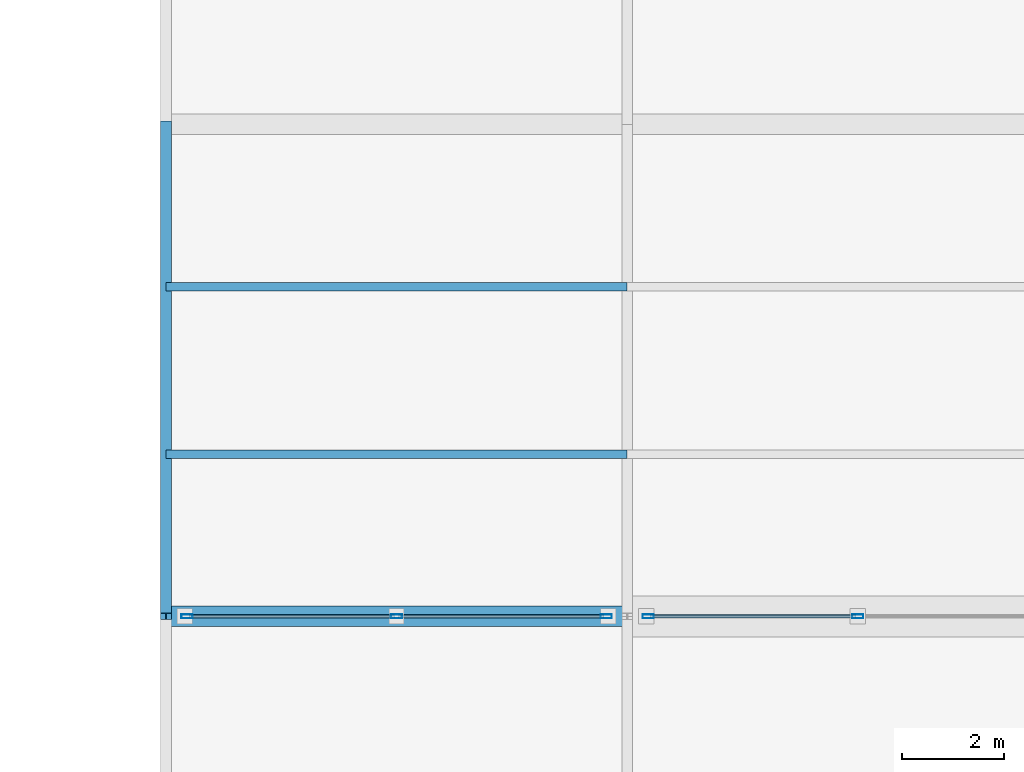
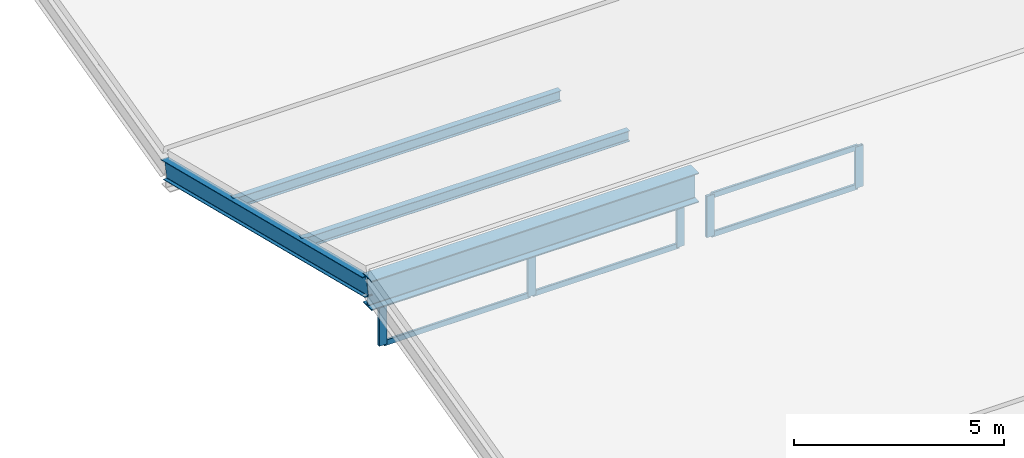
# One storey, part 8 of 36: 14 members, 1 beam, 2 elements without a shape of their own.
"""IFC4 building model written with IfcOpenShell, lengths in metres."""

from ifc_helpers import new_model, si_unit, direction, frame, origin, origin_2d, place, context, subcontext, project, spatial, hollow_rectangle, i_section, extrude, material, layer, layer_set, material_profile, profile_set, type_object, element, aggregate, save


model = new_model("IFC4")

# Units and contexts
model_context = context("Model", 3, precision=1e-05, world=origin(), true_north=direction((0.0, 1.0)))
body_context = subcontext(model_context, "Body", "Model", "MODEL_VIEW")
ifc_project = project(units=[si_unit("LENGTHUNIT", "METRE"), si_unit("AREAUNIT", "SQUARE_METRE"), si_unit("VOLUMEUNIT", "CUBIC_METRE"), si_unit("PLANEANGLEUNIT", "RADIAN"), si_unit("MASSUNIT", "GRAM", prefix="KILO")], contexts=[model_context])

# Site, building, storey
site_placement = place(None, origin())
site = spatial("IfcSite", under=ifc_project, at=site_placement, CompositionType="ELEMENT")
building_placement = place(site_placement, origin())
building = spatial("IfcBuilding", under=site, at=building_placement, Name="Qorvath Tower", CompositionType="ELEMENT")
storey_placement = place(building_placement, frame((0.0, 0.0, 27.0)))
storey = spatial("IfcBuildingStorey", under=building, at=storey_placement, Name="L05", CompositionType="ELEMENT", Elevation=27.0)

# Beam
ifc_material_1 = material(Name="Steel ASTM A992 Grade 50", Category="steel")
ifc_material_profile_1 = material_profile(ifc_material_1, i_section(OverallWidth=0.39892578125, OverallDepth=0.85498046875, WebThickness=0.018310546875, FlangeThickness=0.029296875, FilletRadius=0.02001953125, at=origin_2d()), Name="W33x201")
ifc_profile_set_1 = profile_set([ifc_material_profile_1], Name="Steel ASTM A992 Grade 50")
beam_type = type_object("IfcBeamType", Name="BM-FG2", PredefinedType="BEAM", material=ifc_profile_set_1)
beam_placement = place(storey_placement, frame((32.39990234375, 9.60009765625, 1.666015625), z_axis=(1.0, 0.0, 0.0), x_axis=(0.0, 1.0, 0.0)))
element("IfcBeam", 1, at=beam_placement, inside=storey, type_object=beam_type, Name="Library Roof Fold Girder 6-W", PredefinedType="BEAM", context=body_context, shape_type="SweptSolid", body=[
    extrude(i_section(OverallWidth=0.39892578125, OverallDepth=0.85498046875, WebThickness=0.018310546875, FlangeThickness=0.029296875, FilletRadius=0.02001953125, at=origin_2d()), origin(), (0.0, 0.0, 1.0), 9.0),
])

# Curtain wall, members
ifc_material_2 = material(Name="Anodised aluminium and triple low-E glass", Category="aluminium")
ifc_layer = layer(ifc_material_2, 0.179931640625)
ifc_layer_set = layer_set([ifc_layer], Name="CW-SYS-7")
curtain_wall_type = type_object("IfcCurtainWallType", Name="CW-SYS-7", PredefinedType="NOTDEFINED", material=ifc_layer_set)
curtain_wall_1_placement = place(storey_placement, origin())
curtain_wall_1 = element("IfcCurtainWall", 2, at=curtain_wall_1_placement, inside=storey, type_object=curtain_wall_type, Name="Curtain Wall CW-7 CW-LIB-SKY-3-1", PredefinedType="NOTDEFINED")
ifc_material_3 = material(Name="Anodised aluminium 6063-T6", Category="aluminium")
ifc_material_profile_2 = material_profile(ifc_material_3, hollow_rectangle(XDim=0.080078125, YDim=0.219970703125, WallThickness=0.00439453125, InnerFilletRadius=0.00439453125, OuterFilletRadius=0.009033203125, at=origin_2d()), Name="CWM LIB 220x80")
ifc_profile_set_2 = profile_set([ifc_material_profile_2], Name="Anodised aluminium 6063-T6")
member_type_1 = type_object("IfcMemberType", Name="CWM-LIB", PredefinedType="MULLION", material=ifc_profile_set_2)
member_1_placement = place(storey_placement, frame((32.81005859375, 9.60009765625, 0.0), z_axis=(0.0, 0.0, 1.0), x_axis=(0.0, 1.0, 0.0)))
member_1 = element("IfcMember", 3, at=member_1_placement, type_object=member_type_1, Name="CW-7 mullion 1", PredefinedType="MULLION", context=body_context, shape_type="SweptSolid", body=[
    extrude(hollow_rectangle(XDim=0.080078125, YDim=0.219970703125, WallThickness=0.00439453125, InnerFilletRadius=0.00439453125, OuterFilletRadius=0.009033203125, at=origin_2d()), origin(), (0.0, 0.0, 1.0), 1.199951171875),
])
member_2_placement = place(storey_placement, frame((36.89990234375, 9.60009765625, 0.0), z_axis=(0.0, 0.0, 1.0), x_axis=(0.0, 1.0, 0.0)))
member_2 = element("IfcMember", 4, at=member_2_placement, type_object=member_type_1, Name="CW-7 mullion 2", PredefinedType="MULLION", context=body_context, shape_type="SweptSolid", body=[
    extrude(hollow_rectangle(XDim=0.080078125, YDim=0.219970703125, WallThickness=0.00439453125, InnerFilletRadius=0.00439453125, OuterFilletRadius=0.009033203125, at=origin_2d()), origin(), (0.0, 0.0, 1.0), 1.199951171875),
])
member_3_placement = place(storey_placement, frame((40.989990234375, 9.60009765625, 0.0), z_axis=(0.0, 0.0, 1.0), x_axis=(0.0, 1.0, 0.0)))
member_3 = element("IfcMember", 5, at=member_3_placement, type_object=member_type_1, Name="CW-7 mullion 3", PredefinedType="MULLION", context=body_context, shape_type="SweptSolid", body=[
    extrude(hollow_rectangle(XDim=0.080078125, YDim=0.219970703125, WallThickness=0.00439453125, InnerFilletRadius=0.00439453125, OuterFilletRadius=0.009033203125, at=origin_2d()), origin(), (0.0, 0.0, 1.0), 1.199951171875),
])

curtain_wall_2_placement = place(storey_placement, origin())
curtain_wall_2 = element("IfcCurtainWall", 6, at=curtain_wall_2_placement, inside=storey, type_object=curtain_wall_type, Name="Curtain Wall CW-7 CW-LIB-SKY-3-2", PredefinedType="NOTDEFINED")
member_4_placement = place(storey_placement, frame((41.81005859375, 9.60009765625, 0.0), z_axis=(0.0, 0.0, 1.0), x_axis=(0.0, 1.0, 0.0)))
member_4 = element("IfcMember", 7, at=member_4_placement, type_object=member_type_1, Name="CW-7 mullion 1", PredefinedType="MULLION", context=body_context, shape_type="SweptSolid", body=[
    extrude(hollow_rectangle(XDim=0.080078125, YDim=0.219970703125, WallThickness=0.00439453125, InnerFilletRadius=0.00439453125, OuterFilletRadius=0.009033203125, at=origin_2d()), origin(), (0.0, 0.0, 1.0), 1.199951171875),
])
member_5_placement = place(storey_placement, frame((45.89990234375, 9.60009765625, 0.0), z_axis=(0.0, 0.0, 1.0), x_axis=(0.0, 1.0, 0.0)))
member_5 = element("IfcMember", 8, at=member_5_placement, type_object=member_type_1, Name="CW-7 mullion 2", PredefinedType="MULLION", context=body_context, shape_type="SweptSolid", body=[
    extrude(hollow_rectangle(XDim=0.080078125, YDim=0.219970703125, WallThickness=0.00439453125, InnerFilletRadius=0.00439453125, OuterFilletRadius=0.009033203125, at=origin_2d()), origin(), (0.0, 0.0, 1.0), 1.199951171875),
])

# Member
ifc_material_4 = material(Name="Anodised aluminium 6063-T6", Category="aluminium")
ifc_material_profile_3 = material_profile(ifc_material_4, hollow_rectangle(XDim=0.06494140625, YDim=0.159912109375, WallThickness=0.00341796875, InnerFilletRadius=0.00341796875, OuterFilletRadius=0.007080078125, at=origin_2d()), Name="CWT 160x65")
ifc_profile_set_3 = profile_set([ifc_material_profile_3], Name="Anodised aluminium 6063-T6")
member_type_2 = type_object("IfcMemberType", Name="CWT-160", PredefinedType="USERDEFINED", material=ifc_profile_set_3)
member_6_placement = place(storey_placement, frame((32.85009765625, 9.60009765625, 0.032470703125), z_axis=(1.0, 0.0, 0.0), x_axis=(0.0, 1.0, 0.0)))
member_6 = element("IfcMember", 9, at=member_6_placement, type_object=member_type_2, Name="CW-7 transom 1.1", ObjectType="TRANSOM", PredefinedType="USERDEFINED", context=body_context, shape_type="SweptSolid", body=[
    extrude(hollow_rectangle(XDim=0.06494140625, YDim=0.159912109375, WallThickness=0.00341796875, InnerFilletRadius=0.00341796875, OuterFilletRadius=0.007080078125, at=origin_2d()), origin(), (0.0, 0.0, 1.0), 4.010009765625),
])

member_7_placement = place(storey_placement, frame((32.85009765625, 9.60009765625, 1.16748046875), z_axis=(1.0, 0.0, 0.0), x_axis=(0.0, 1.0, 0.0)))
member_7 = element("IfcMember", 10, at=member_7_placement, type_object=member_type_2, Name="CW-7 transom 1.2", ObjectType="TRANSOM", PredefinedType="USERDEFINED", context=body_context, shape_type="SweptSolid", body=[
    extrude(hollow_rectangle(XDim=0.06494140625, YDim=0.159912109375, WallThickness=0.00341796875, InnerFilletRadius=0.00341796875, OuterFilletRadius=0.007080078125, at=origin_2d()), origin(), (0.0, 0.0, 1.0), 4.010009765625),
])

member_8_placement = place(storey_placement, frame((36.93994140625, 9.60009765625, 0.032470703125), z_axis=(1.0, 0.0, 0.0), x_axis=(0.0, 1.0, 0.0)))
member_8 = element("IfcMember", 11, at=member_8_placement, type_object=member_type_2, Name="CW-7 transom 2.1", ObjectType="TRANSOM", PredefinedType="USERDEFINED", context=body_context, shape_type="SweptSolid", body=[
    extrude(hollow_rectangle(XDim=0.06494140625, YDim=0.159912109375, WallThickness=0.00341796875, InnerFilletRadius=0.00341796875, OuterFilletRadius=0.007080078125, at=origin_2d()), origin(), (0.0, 0.0, 1.0), 4.010009765625),
])

member_9_placement = place(storey_placement, frame((36.93994140625, 9.60009765625, 1.16748046875), z_axis=(1.0, 0.0, 0.0), x_axis=(0.0, 1.0, 0.0)))
member_9 = element("IfcMember", 12, at=member_9_placement, type_object=member_type_2, Name="CW-7 transom 2.2", ObjectType="TRANSOM", PredefinedType="USERDEFINED", context=body_context, shape_type="SweptSolid", body=[
    extrude(hollow_rectangle(XDim=0.06494140625, YDim=0.159912109375, WallThickness=0.00341796875, InnerFilletRadius=0.00341796875, OuterFilletRadius=0.007080078125, at=origin_2d()), origin(), (0.0, 0.0, 1.0), 4.010009765625),
])

aggregate(curtain_wall_1, [member_1, member_2, member_3, member_6, member_7, member_8, member_9])

member_10_placement = place(storey_placement, frame((41.85009765625, 9.60009765625, 0.032470703125), z_axis=(1.0, 0.0, 0.0), x_axis=(0.0, 1.0, 0.0)))
member_10 = element("IfcMember", 13, at=member_10_placement, type_object=member_type_2, Name="CW-7 transom 1.1", ObjectType="TRANSOM", PredefinedType="USERDEFINED", context=body_context, shape_type="SweptSolid", body=[
    extrude(hollow_rectangle(XDim=0.06494140625, YDim=0.159912109375, WallThickness=0.00341796875, InnerFilletRadius=0.00341796875, OuterFilletRadius=0.007080078125, at=origin_2d()), origin(), (0.0, 0.0, 1.0), 4.010009765625),
])

member_11_placement = place(storey_placement, frame((41.85009765625, 9.60009765625, 1.16748046875), z_axis=(1.0, 0.0, 0.0), x_axis=(0.0, 1.0, 0.0)))
member_11 = element("IfcMember", 14, at=member_11_placement, type_object=member_type_2, Name="CW-7 transom 1.2", ObjectType="TRANSOM", PredefinedType="USERDEFINED", context=body_context, shape_type="SweptSolid", body=[
    extrude(hollow_rectangle(XDim=0.06494140625, YDim=0.159912109375, WallThickness=0.00341796875, InnerFilletRadius=0.00341796875, OuterFilletRadius=0.007080078125, at=origin_2d()), origin(), (0.0, 0.0, 1.0), 4.010009765625),
])

aggregate(curtain_wall_2, [member_4, member_5, member_10, member_11])

# Members
ifc_material_5 = material(Name="Steel ASTM A992 Grade 50", Category="steel")
ifc_material_profile_4 = material_profile(ifc_material_5, i_section(OverallWidth=0.1650390625, OverallDepth=0.31005859375, WebThickness=0.005859375, FlangeThickness=0.009765625, FilletRadius=0.010009765625, at=origin_2d()), Name="W12x26")
ifc_profile_set_4 = profile_set([ifc_material_profile_4], Name="Steel ASTM A992 Grade 50")
member_type_3 = type_object("IfcMemberType", Name="MEM-PR1", PredefinedType="PURLIN", material=ifc_profile_set_4)
for number, where, z_axis, x_axis, name in (
    (15, (32.39990234375, 12.76806640625, 1.1708984375), (1.0, 0.0, 0.0), (0.0, 1.0, 0.0), "Library Folded Roof Purlin F6-P1-1"),
    (16, (32.39990234375, 16.031982421875, 0.357177734375), (1.0, 0.0, 0.0), (0.0, 1.0, 0.0), "Library Folded Roof Purlin F6-P2-1"),
):
    element("IfcMember", number, at=place(storey_placement, frame(where, z_axis=z_axis, x_axis=x_axis)), inside=storey, type_object=member_type_3, Name=name, PredefinedType="PURLIN", context=body_context, shape_type="SweptSolid", body=[
        extrude(i_section(OverallWidth=0.1650390625, OverallDepth=0.31005859375, WebThickness=0.005859375, FlangeThickness=0.009765625, FilletRadius=0.010009765625, at=origin_2d()), origin(), (0.0, 0.0, 1.0), 9.0),
    ])
ifc_material_6 = material(Name="Steel ASTM A992 Grade 50", Category="steel")
ifc_material_profile_5 = material_profile(ifc_material_6, i_section(OverallWidth=0.208984375, OverallDepth=0.532958984375, WebThickness=0.01025390625, FlangeThickness=0.015625, FilletRadius=0.013916015625, at=origin_2d()), Name="W21x62")
ifc_profile_set_5 = profile_set([ifc_material_profile_5], Name="Steel ASTM A992 Grade 50")
member_type_4 = type_object("IfcMemberType", Name="MEM-RF1", PredefinedType="RAFTER", material=ifc_profile_set_5)
member_12_placement = place(storey_placement, frame((32.39990234375, 9.60009765625, 1.829345703125), z_axis=(0.0, 0.970294720706, -0.241925928684), x_axis=(-1.0, 0.0, 0.0)))
element("IfcMember", 17, at=member_12_placement, inside=storey, type_object=member_type_4, Name="Library Folded Roof Rafter F6-1", PredefinedType="RAFTER", context=body_context, shape_type="SweptSolid", body=[
    extrude(i_section(OverallWidth=0.208984375, OverallDepth=0.532958984375, WebThickness=0.01025390625, FlangeThickness=0.015625, FilletRadius=0.013916015625, at=origin_2d()), origin(), (0.0, 0.0, 1.0), 9.893798828125),
])

save(model, "model.ifc")
